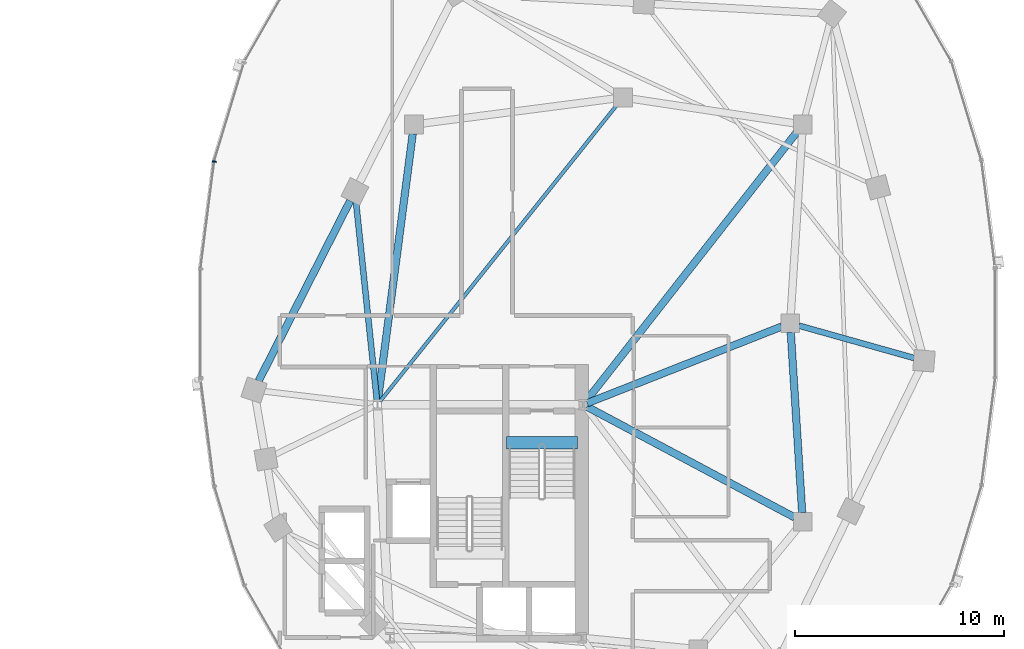
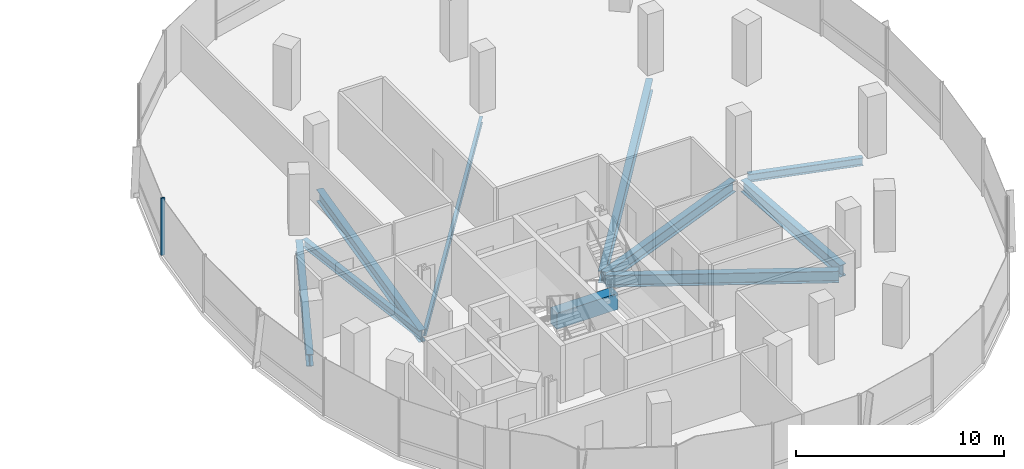
# One storey, part 7 of 21: 10 beams, 1 member, 1 element without a shape of its own.
"""IFC4 building model written with IfcOpenShell, lengths in metres."""

from ifc_helpers import new_model, si_unit, direction, frame, origin, origin_2d, place, context, subcontext, project, spatial, rectangle, i_section, extrude, material, material_profile, profile_set, type_object, element, aggregate, save


model = new_model("IFC4")

# Units and contexts
model_context = context("Model", 3, precision=1e-05, world=origin(), true_north=direction((0.0, 1.0)))
body_context = subcontext(model_context, "Body", "Model", "MODEL_VIEW")
ifc_project = project(units=[si_unit("LENGTHUNIT", "METRE"), si_unit("AREAUNIT", "SQUARE_METRE"), si_unit("VOLUMEUNIT", "CUBIC_METRE"), si_unit("PLANEANGLEUNIT", "RADIAN"), si_unit("MASSUNIT", "GRAM", prefix="KILO"), si_unit("THERMODYNAMICTEMPERATUREUNIT", "KELVIN"), si_unit("POWERUNIT", "WATT")], contexts=[model_context])

# Site, building, storey
site_placement = place(None, origin())
site = spatial("IfcSite", under=ifc_project, at=site_placement, CompositionType="ELEMENT")
building_placement = place(site_placement, origin())
building = spatial("IfcBuilding", under=site, at=building_placement, Name="Cundina Bronze Exchange", CompositionType="ELEMENT")
storey_placement = place(building_placement, frame((0.0, 0.0, 180.0)))
storey = spatial("IfcBuildingStorey", under=building, at=storey_placement, Name="L47", CompositionType="ELEMENT", Elevation=180.0)

# Beams
ifc_material_1 = material(Name="Concrete C60/75", Category="concrete")
ifc_material_profile_1 = material_profile(ifc_material_1, rectangle(XDim=0.60009765625, YDim=0.949951171875, at=origin_2d()), Name="RC600X950", Category="concrete")
ifc_profile_set_1 = profile_set([ifc_material_profile_1], Name="Concrete C60/75")
beam_type_1 = type_object("IfcBeamType", Name="BM-COUP-RC950", PredefinedType="LINTEL", material=ifc_profile_set_1)
beam_1_placement = place(storey_placement, frame((27.6201171875, -5.719970703125, -0.47509765625), z_axis=(1.0, 0.0, 0.0), x_axis=(0.0, 1.0, 0.0)))
element("IfcBeam", 1, at=beam_1_placement, inside=storey, type_object=beam_type_1, Name="L47 Stair E1 Landing Header Beam", PredefinedType="LINTEL", context=body_context, shape_type="SweptSolid", body=[
    extrude(rectangle(XDim=0.60009765625, YDim=0.949951171875, at=origin_2d()), origin(), (0.0, 0.0, 1.0), 3.39990234375),
])
ifc_material_2 = material(Name="Steel ASTM A992 Grade 50", Category="steel")
ifc_material_profile_2 = material_profile(ifc_material_2, i_section(OverallWidth=0.280029296875, OverallDepth=0.462890625, WebThickness=0.0107421875, FlangeThickness=0.017333984375, FilletRadius=0.011962890625, at=origin_2d()), Name="W18X76", Category="steel")
ifc_profile_set_2 = profile_set([ifc_material_profile_2], Name="Steel ASTM A992 Grade 50")
beam_type_2 = type_object("IfcBeamType", Name="BM-FLR-W18A", PredefinedType="BEAM", material=ifc_profile_set_2)
beam_2_placement = place(storey_placement, frame((41.62158203125, -0.11865234375, -0.471435546875), z_axis=(0.962649202648, -0.270751754643, 0.0), x_axis=(0.270751754643, 0.962649202648, 0.0)))
element("IfcBeam", 2, at=beam_2_placement, inside=storey, type_object=beam_type_2, Name="L47 Leg E Chordal Floor Beam 08", PredefinedType="BEAM", context=body_context, shape_type="SweptSolid", body=[
    extrude(i_section(OverallWidth=0.280029296875, OverallDepth=0.462890625, WebThickness=0.0107421875, FlangeThickness=0.017333984375, FilletRadius=0.011962890625, at=origin_2d()), origin(), (0.0, 0.0, 1.0), 5.72216796875),
])
beam_3_placement = place(storey_placement, frame((21.4287109375, -3.697021484375, -0.471435546875), z_axis=(-0.104834931651, 0.9944896365, 0.0), x_axis=(-0.9944896365, -0.104834931651, 0.0)))
element("IfcBeam", 3, at=beam_3_placement, inside=storey, type_object=beam_type_2, Name="L47 Leg E Chordal Floor Beam 13", PredefinedType="BEAM", context=body_context, shape_type="SweptSolid", body=[
    extrude(i_section(OverallWidth=0.280029296875, OverallDepth=0.462890625, WebThickness=0.0107421875, FlangeThickness=0.017333984375, FilletRadius=0.011962890625, at=origin_2d()), origin(), (0.0, 0.0, 1.0), 9.564453125),
])
ifc_material_profile_3 = material_profile(ifc_material_2, i_section(OverallWidth=0.172119140625, OverallDepth=0.35791015625, WebThickness=0.0078125, FlangeThickness=0.01318359375, FilletRadius=0.010009765625, at=origin_2d()), Name="W14X38", Category="steel")
ifc_profile_set_3 = profile_set([ifc_material_profile_3], Name="Steel ASTM A992 Grade 50")
beam_type_3 = type_object("IfcBeamType", Name="BM-JST-W14", PredefinedType="JOIST", material=ifc_profile_set_3)
beam_4_placement = place(storey_placement, frame((21.577392578125, -3.740478515625, -0.4189453125), z_axis=(0.624370675223, 0.781128196854, 0.0), x_axis=(-0.781128196854, 0.624370675223, 0.0)))
element("IfcBeam", 4, at=beam_4_placement, inside=storey, type_object=beam_type_3, Name="L47 E Interior Core-to-Ring Joist 2", PredefinedType="JOIST", context=body_context, shape_type="SweptSolid", body=[
    extrude(i_section(OverallWidth=0.172119140625, OverallDepth=0.35791015625, WebThickness=0.0078125, FlangeThickness=0.01318359375, FilletRadius=0.010009765625, at=origin_2d()), origin(), (0.0, 0.0, 1.0), 18.177001953125),
])
ifc_material_profile_4 = material_profile(ifc_material_2, i_section(OverallWidth=0.35498046875, OverallDepth=0.695068359375, WebThickness=0.015380859375, FlangeThickness=0.02490234375, FilletRadius=0.01806640625, at=origin_2d()), Name="W27X146", Category="steel")
ifc_profile_set_4 = profile_set([ifc_material_profile_4], Name="Steel ASTM A992 Grade 50")
beam_type_4 = type_object("IfcBeamType", Name="BM-RING-W27", PredefinedType="USERDEFINED", material=ifc_profile_set_4)
beam_5_placement = place(storey_placement, frame((41.7724609375, -9.06298828125, -0.58740234375), z_axis=(-0.063046519736, 0.998010589297, 0.0), x_axis=(-0.998010589297, -0.063046519736, 0.0)))
element("IfcBeam", 5, at=beam_5_placement, inside=storey, type_object=beam_type_4, Name="L47 E Inner Structural Ring Girder 03", ObjectType="GIRDER", PredefinedType="USERDEFINED", context=body_context, shape_type="SweptSolid", body=[
    extrude(i_section(OverallWidth=0.35498046875, OverallDepth=0.695068359375, WebThickness=0.015380859375, FlangeThickness=0.02490234375, FilletRadius=0.01806640625, at=origin_2d()), origin(), (0.0, 0.0, 1.0), 8.64306640625),
])
beam_6_placement = place(storey_placement, frame((23.143310546875, 9.065673828125, -0.58740234375), z_axis=(-0.129507030047, -0.991578503785, 0.0), x_axis=(0.991578503785, -0.129507030047, 0.0)))
element("IfcBeam", 6, at=beam_6_placement, inside=storey, type_object=beam_type_4, Name="L47 E Inner Structural Ring Girder 07", ObjectType="GIRDER", PredefinedType="USERDEFINED", context=body_context, shape_type="SweptSolid", body=[
    extrude(i_section(OverallWidth=0.35498046875, OverallDepth=0.695068359375, WebThickness=0.015380859375, FlangeThickness=0.02490234375, FilletRadius=0.01806640625, at=origin_2d()), origin(), (0.0, 0.0, 1.0), 12.871826171875),
])
beam_7_placement = place(storey_placement, frame((31.48974609375, -3.8251953125, -0.58740234375), z_axis=(0.930405617189, 0.36653156413, 0.0), x_axis=(-0.36653156413, 0.930405617189, 0.0)))
element("IfcBeam", 7, at=beam_7_placement, inside=storey, type_object=beam_type_4, Name="L47 E Core-to-Waist Tie Beam 1", ObjectType="GIRDER", PredefinedType="USERDEFINED", context=body_context, shape_type="SweptSolid", body=[
    extrude(i_section(OverallWidth=0.35498046875, OverallDepth=0.695068359375, WebThickness=0.015380859375, FlangeThickness=0.02490234375, FilletRadius=0.01806640625, at=origin_2d()), origin(), (0.0, 0.0, 1.0), 9.99853515625),
])
beam_8_placement = place(storey_placement, frame((31.47998046875, -3.99609375, -0.58740234375), z_axis=(0.88235534237, -0.470583733028, 0.0), x_axis=(0.470583733028, 0.88235534237, 0.0)))
element("IfcBeam", 8, at=beam_8_placement, inside=storey, type_object=beam_type_4, Name="L47 E Core-to-Waist Tie Beam 2", ObjectType="GIRDER", PredefinedType="USERDEFINED", context=body_context, shape_type="SweptSolid", body=[
    extrude(i_section(OverallWidth=0.35498046875, OverallDepth=0.695068359375, WebThickness=0.015380859375, FlangeThickness=0.02490234375, FilletRadius=0.01806640625, at=origin_2d()), origin(), (0.0, 0.0, 1.0), 11.258056640625),
])
beam_9_placement = place(storey_placement, frame((31.42578125, -3.739501953125, -0.58740234375), z_axis=(0.616779109924, 0.787136283982, 0.0), x_axis=(-0.787136283982, 0.616779109924, 0.0)))
element("IfcBeam", 9, at=beam_9_placement, inside=storey, type_object=beam_type_4, Name="L47 E Core-to-Waist Tie Beam 3", ObjectType="GIRDER", PredefinedType="USERDEFINED", context=body_context, shape_type="SweptSolid", body=[
    extrude(i_section(OverallWidth=0.35498046875, OverallDepth=0.695068359375, WebThickness=0.015380859375, FlangeThickness=0.02490234375, FilletRadius=0.01806640625, at=origin_2d()), origin(), (0.0, 0.0, 1.0), 16.3818359375),
])
beam_10_placement = place(storey_placement, frame((20.154052734375, 5.864990234375, -0.58740234375), z_axis=(-0.452834585354, -0.891594548159, 0.0), x_axis=(0.891594548159, -0.452834585354, 0.0)))
element("IfcBeam", 10, at=beam_10_placement, inside=storey, type_object=beam_type_4, Name="L47 E Perimeter Ring Girder 13", ObjectType="GIRDER", PredefinedType="USERDEFINED", context=body_context, shape_type="SweptSolid", body=[
    extrude(i_section(OverallWidth=0.35498046875, OverallDepth=0.695068359375, WebThickness=0.015380859375, FlangeThickness=0.02490234375, FilletRadius=0.01806640625, at=origin_2d()), origin(), (0.0, 0.0, 1.0), 9.67919921875),
])

# Curtain wall, member
ifc_material_3 = material(Name="Anodised Bronze Aluminium 6063-T6", Category="aluminium")
curtain_wall_type = type_object("IfcCurtainWallType", Name="CWS-WST-PIN", PredefinedType="NOTDEFINED", material=ifc_material_3)
curtain_wall_placement = place(storey_placement, origin())
curtain_wall = element("IfcCurtainWall", 11, at=curtain_wall_placement, inside=storey, type_object=curtain_wall_type, Name="L47 CW-04 Curtain Wall Run CWR-L47-E2", PredefinedType="NOTDEFINED")
ifc_material_profile_5 = material_profile(ifc_material_3, rectangle(XDim=0.070068359375, YDim=0.18994140625, at=origin_2d()), Name="AL70X190", Category="aluminium")
ifc_profile_set_5 = profile_set([ifc_material_profile_5], Name="Anodised Bronze Aluminium 6063-T6")
member_type = type_object("IfcMemberType", Name="CWM-MUL-190", PredefinedType="MULLION", material=ifc_profile_set_5)
member_placement = place(storey_placement, frame((13.642822265625, 7.731689453125, 0.0), z_axis=(0.0, 0.0, 1.0), x_axis=(-0.126545236492, -0.991960837494, 0.0)))
member = element("IfcMember", 12, at=member_placement, type_object=member_type, Name="CW-04 Mullion 6", PredefinedType="MULLION", context=body_context, shape_type="SweptSolid", body=[
    extrude(rectangle(XDim=0.070068359375, YDim=0.18994140625, at=origin_2d()), origin(), (0.0, 0.0, 1.0), 3.360107421875),
])
aggregate(curtain_wall, [member])

save(model, "model.ifc")
